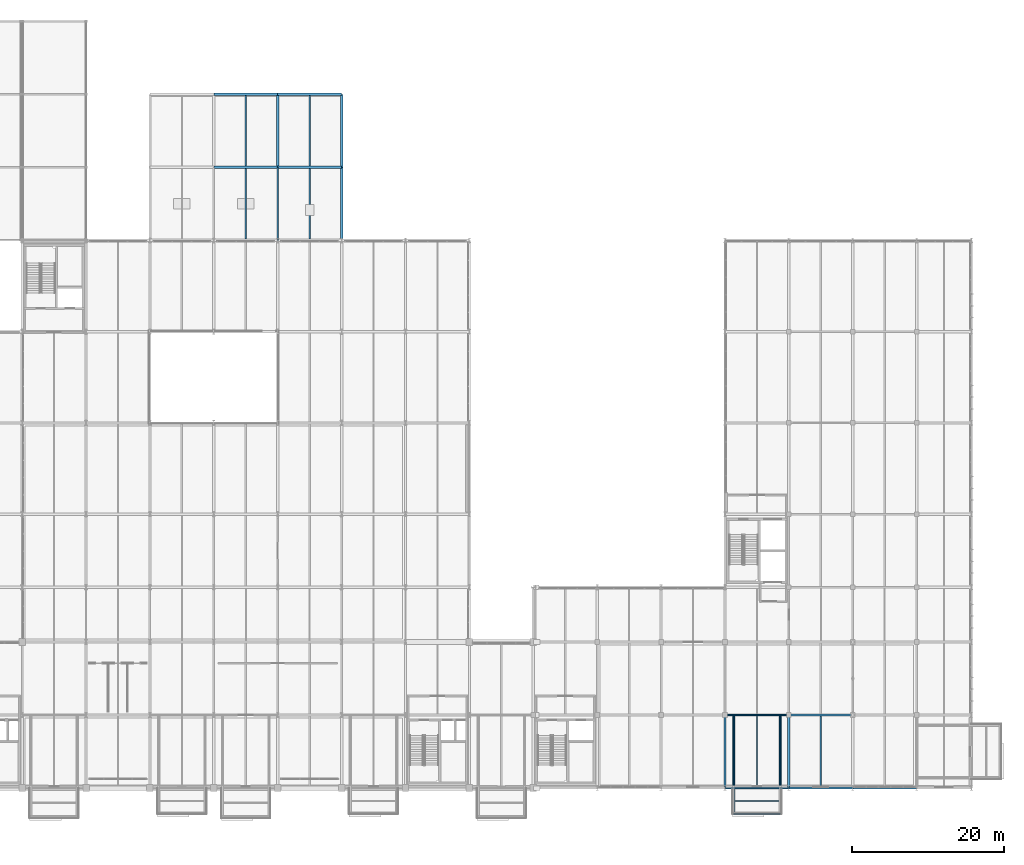
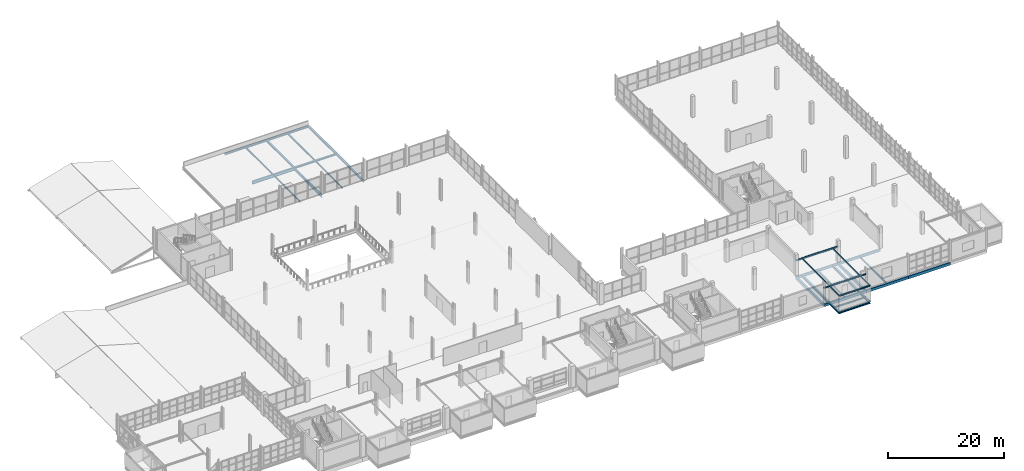
# One storey, part 80 of 130: 30 beams.
"""IFC4 building model written with IfcOpenShell, lengths in metres."""

from ifc_helpers import new_model, si_unit, direction, frame, origin, origin_2d, place, context, subcontext, project, spatial, rectangle, i_section, extrude, material, material_profile, profile_set, type_object, element, save


model = new_model("IFC4")

# Units and contexts
model_context = context("Model", 3, precision=1e-05, world=origin(), true_north=direction((0.0, 1.0)))
body_context = subcontext(model_context, "Body", "Model", "MODEL_VIEW")
ifc_project = project(units=[si_unit("LENGTHUNIT", "METRE"), si_unit("AREAUNIT", "SQUARE_METRE"), si_unit("VOLUMEUNIT", "CUBIC_METRE"), si_unit("PLANEANGLEUNIT", "RADIAN"), si_unit("MASSUNIT", "GRAM", prefix="KILO")], contexts=[model_context])

# Site, building, storey
site_placement = place(None, origin())
site = spatial("IfcSite", under=ifc_project, at=site_placement, CompositionType="ELEMENT")
building_placement = place(site_placement, origin())
building = spatial("IfcBuilding", under=site, at=building_placement, Name="Veltarok Museum of Natural Sciences", CompositionType="ELEMENT")
storey_placement = place(building_placement, frame((0.0, 0.0, 12.89990234375)))
storey = spatial("IfcBuildingStorey", under=building, at=storey_placement, Name="L02", CompositionType="ELEMENT", Elevation=12.89990234375)

# Beams
ifc_material_1 = material(Name="Steel S355J2", Category="steel")
ifc_material_profile_1 = material_profile(ifc_material_1, i_section(OverallWidth=0.2099609375, OverallDepth=0.550048828125, WebThickness=0.010986328125, FlangeThickness=0.01708984375, FilletRadius=0.02392578125, at=origin_2d()), Name="IPE 550")
ifc_profile_set_1 = profile_set([ifc_material_profile_1], Name="Steel S355J2")
beam_type_1 = type_object("IfcBeamType", Name="Archive Heavy Girder IPE 550", PredefinedType="BEAM", material=ifc_profile_set_1)
beam_1_placement = place(storey_placement, frame((132.39990234375, 9.60009765625, -0.52490234375), z_axis=(1.0, 0.0, 0.0), x_axis=(0.0, 1.0, 0.0)))
element("IfcBeam", 1, at=beam_1_placement, inside=storey, type_object=beam_type_1, Name="Beam BM-G03 L02 16-17/B", PredefinedType="BEAM", context=body_context, shape_type="SweptSolid", body=[
    extrude(i_section(OverallWidth=0.2099609375, OverallDepth=0.550048828125, WebThickness=0.010986328125, FlangeThickness=0.01708984375, FilletRadius=0.02392578125, at=origin_2d()), origin(), (0.0, 0.0, 1.0), 8.400146484375),
])
beam_2_placement = place(storey_placement, frame((140.800048828125, 9.60009765625, -0.52490234375), z_axis=(1.0, 0.0, 0.0), x_axis=(0.0, 1.0, 0.0)))
element("IfcBeam", 2, at=beam_2_placement, inside=storey, type_object=beam_type_1, Name="Beam BM-G03 L02 17-18/B", PredefinedType="BEAM", context=body_context, shape_type="SweptSolid", body=[
    extrude(i_section(OverallWidth=0.2099609375, OverallDepth=0.550048828125, WebThickness=0.010986328125, FlangeThickness=0.01708984375, FilletRadius=0.02392578125, at=origin_2d()), origin(), (0.0, 0.0, 1.0), 8.39990234375),
])
ifc_material_profile_2 = material_profile(ifc_material_1, i_section(OverallWidth=0.300048828125, OverallDepth=0.5, WebThickness=0.014404296875, FlangeThickness=0.028076171875, FilletRadius=0.027099609375, at=origin_2d()), Name="HEB 500")
ifc_profile_set_2 = profile_set([ifc_material_profile_2], Name="Steel S355J2")
beam_type_2 = type_object("IfcBeamType", Name="Cabinet Box Cantilever Girder HEB 500", PredefinedType="BEAM", material=ifc_profile_set_2)
for number, where, z_axis, x_axis, name in (
    (3, (133.550048828125, -3.39990234375, -0.5), (0.0, 1.0, 0.0), (-1.0, 0.0, 0.0), "Cabinet Cantilever Girder DB-12-1"),
    (4, (139.64990234375, -3.39990234375, -0.5), (0.0, 1.0, 0.0), (-1.0, 0.0, 0.0), "Cabinet Cantilever Girder DB-12-2"),
):
    element("IfcBeam", number, at=place(storey_placement, frame(where, z_axis=z_axis, x_axis=x_axis)), inside=storey, type_object=beam_type_2, Name=name, PredefinedType="BEAM", context=body_context, shape_type="SweptSolid", body=[
        extrude(i_section(OverallWidth=0.300048828125, OverallDepth=0.5, WebThickness=0.014404296875, FlangeThickness=0.028076171875, FilletRadius=0.027099609375, at=origin_2d()), origin(), (0.0, 0.0, 1.0), 13.0),
    ])
ifc_material_profile_3 = material_profile(ifc_material_1, i_section(OverallWidth=0.1201171875, OverallDepth=0.239990234375, WebThickness=0.006103515625, FlangeThickness=0.009765625, FilletRadius=0.014892578125, at=origin_2d()), Name="IPE 240")
ifc_profile_set_3 = profile_set([ifc_material_profile_3], Name="Steel S355J2")
beam_type_3 = type_object("IfcBeamType", Name="Cabinet Box Secondary Joist IPE 240", PredefinedType="JOIST", material=ifc_profile_set_3)
for number, where, z_axis, x_axis, name in (
    (5, (133.550048828125, -3.39990234375, 3.130126953125), (0.0, 1.0, 0.0), (-1.0, 0.0, 0.0), "Cabinet Roof Rafter DB-12-1"),
    (6, (139.64990234375, -3.39990234375, 3.130126953125), (0.0, 1.0, 0.0), (-1.0, 0.0, 0.0), "Cabinet Roof Rafter DB-12-2"),
):
    element("IfcBeam", number, at=place(storey_placement, frame(where, z_axis=z_axis, x_axis=x_axis)), inside=storey, type_object=beam_type_3, Name=name, PredefinedType="JOIST", context=body_context, shape_type="SweptSolid", body=[
        extrude(i_section(OverallWidth=0.1201171875, OverallDepth=0.239990234375, WebThickness=0.006103515625, FlangeThickness=0.009765625, FilletRadius=0.014892578125, at=origin_2d()), origin(), (0.0, 0.0, 1.0), 13.0),
    ])
for number, where, z_axis, x_axis, name in (
    (7, (132.39990234375, 0.0, 3.130126953125), (1.0, 0.0, 0.0), (0.0, 1.0, 0.0), "Cabinet Roof Tie Beam DB-12-P"),
    (8, (132.39990234375, 9.60009765625, 3.130126953125), (1.0, 0.0, 0.0), (0.0, 1.0, 0.0), "Cabinet Roof Tie Beam DB-12-I"),
):
    element("IfcBeam", number, at=place(storey_placement, frame(where, z_axis=z_axis, x_axis=x_axis)), inside=storey, type_object=beam_type_3, Name=name, PredefinedType="JOIST", context=body_context, shape_type="SweptSolid", body=[
        extrude(i_section(OverallWidth=0.1201171875, OverallDepth=0.239990234375, WebThickness=0.006103515625, FlangeThickness=0.009765625, FilletRadius=0.014892578125, at=origin_2d()), origin(), (0.0, 0.0, 1.0), 8.400146484375),
    ])
for number, where, z_axis, x_axis, name in (
    (9, (133.550048828125, -3.39990234375, 3.130126953125), (1.0, 0.0, 0.0), (0.0, 1.0, 0.0), "Cabinet Roof Tip Header DB-12"),
    (10, (133.550048828125, -1.699951171875, -0.369873046875), (1.0, 0.0, 0.0), (0.0, 1.0, 0.0), "Cabinet Box Joist DB-12"),
):
    element("IfcBeam", number, at=place(storey_placement, frame(where, z_axis=z_axis, x_axis=x_axis)), inside=storey, type_object=beam_type_3, Name=name, PredefinedType="JOIST", context=body_context, shape_type="SweptSolid", body=[
        extrude(i_section(OverallWidth=0.1201171875, OverallDepth=0.239990234375, WebThickness=0.006103515625, FlangeThickness=0.009765625, FilletRadius=0.014892578125, at=origin_2d()), origin(), (0.0, 0.0, 1.0), 6.099853515625),
    ])
ifc_material_profile_4 = material_profile(ifc_material_1, i_section(OverallWidth=0.300048828125, OverallDepth=0.35009765625, WebThickness=0.010009765625, FlangeThickness=0.017578125, FilletRadius=0.027099609375, at=origin_2d()), Name="HEA 360")
ifc_profile_set_4 = profile_set([ifc_material_profile_4], Name="Steel S355J2")
beam_type_4 = type_object("IfcBeamType", Name="Cabinet Box Tip Header HEA 360", PredefinedType="BEAM", material=ifc_profile_set_4)
beam_3_placement = place(storey_placement, frame((133.550048828125, -3.39990234375, -0.4248046875), z_axis=(1.0, 0.0, 0.0), x_axis=(0.0, 1.0, 0.0)))
element("IfcBeam", 11, at=beam_3_placement, inside=storey, type_object=beam_type_4, Name="Cabinet Tip Header DB-12", PredefinedType="BEAM", context=body_context, shape_type="SweptSolid", body=[
    extrude(i_section(OverallWidth=0.300048828125, OverallDepth=0.35009765625, WebThickness=0.010009765625, FlangeThickness=0.017578125, FilletRadius=0.027099609375, at=origin_2d()), origin(), (0.0, 0.0, 1.0), 6.099853515625),
])
ifc_material_2 = material(Name="Precast concrete C40/50", Category="concrete")
ifc_material_profile_5 = material_profile(ifc_material_2, rectangle(XDim=0.300048828125, YDim=0.550048828125, at=origin_2d()), Name="RC 300x550")
ifc_profile_set_5 = profile_set([ifc_material_profile_5], Name="Precast concrete C40/50")
beam_type_5 = type_object("IfcBeamType", Name="East Wing Precast Spandrel RC 300x550", PredefinedType="SPANDREL", material=ifc_profile_set_5)
beam_4_placement = place(storey_placement, frame((132.39990234375, 0.0, -0.52490234375), z_axis=(1.0, 0.0, 0.0), x_axis=(0.0, 1.0, 0.0)))
element("IfcBeam", 12, at=beam_4_placement, inside=storey, type_object=beam_type_5, Name="Beam BM-SP02 L02 16-17/A", PredefinedType="SPANDREL", context=body_context, shape_type="SweptSolid", body=[
    extrude(rectangle(XDim=0.300048828125, YDim=0.550048828125, at=origin_2d()), origin(), (0.0, 0.0, 1.0), 8.400146484375),
])
beam_5_placement = place(storey_placement, frame((140.800048828125, 0.0, -0.52490234375), z_axis=(1.0, 0.0, 0.0), x_axis=(0.0, 1.0, 0.0)))
element("IfcBeam", 13, at=beam_5_placement, inside=storey, type_object=beam_type_5, Name="Beam BM-SP02 L02 17-18/A", PredefinedType="SPANDREL", context=body_context, shape_type="SweptSolid", body=[
    extrude(rectangle(XDim=0.300048828125, YDim=0.550048828125, at=origin_2d()), origin(), (0.0, 0.0, 1.0), 8.39990234375),
])
beam_6_placement = place(storey_placement, frame((149.199951171875, 0.0, -0.52490234375), z_axis=(1.0, 0.0, 0.0), x_axis=(0.0, 1.0, 0.0)))
element("IfcBeam", 14, at=beam_6_placement, inside=storey, type_object=beam_type_5, Name="Beam BM-SP02 L02 18-19/A", PredefinedType="SPANDREL", context=body_context, shape_type="SweptSolid", body=[
    extrude(rectangle(XDim=0.300048828125, YDim=0.550048828125, at=origin_2d()), origin(), (0.0, 0.0, 1.0), 8.400146484375),
])
for number, where, z_axis, x_axis, name in (
    (15, (132.39990234375, 0.0, -0.52490234375), (0.0, 1.0, 0.0), (-1.0, 0.0, 0.0), "Beam BM-SP02 L02 16/A-B"),
    (16, (140.800048828125, 0.0, -0.52490234375), (0.0, 1.0, 0.0), (-1.0, 0.0, 0.0), "Beam BM-SP02 L02 17/A-B"),
):
    element("IfcBeam", number, at=place(storey_placement, frame(where, z_axis=z_axis, x_axis=x_axis)), inside=storey, type_object=beam_type_5, Name=name, PredefinedType="SPANDREL", context=body_context, shape_type="SweptSolid", body=[
        extrude(rectangle(XDim=0.300048828125, YDim=0.550048828125, at=origin_2d()), origin(), (0.0, 0.0, 1.0), 9.60009765625),
    ])
ifc_material_profile_6 = material_profile(ifc_material_1, i_section(OverallWidth=0.300048828125, OverallDepth=0.639892578125, WebThickness=0.013427734375, FlangeThickness=0.02587890625, FilletRadius=0.027099609375, at=origin_2d()), Name="HEA 650")
ifc_profile_set_6 = profile_set([ifc_material_profile_6], Name="Steel S355J2")
beam_type_6 = type_object("IfcBeamType", Name="Heavy Exhibition Girder HEA 650", PredefinedType="BEAM", material=ifc_profile_set_6)
beam_7_placement = place(storey_placement, frame((65.199951171875, 81.60009765625, -0.56982421875), z_axis=(1.0, 0.0, 0.0), x_axis=(0.0, 1.0, 0.0)))
element("IfcBeam", 17, at=beam_7_placement, inside=storey, type_object=beam_type_6, Name="Beam BM-G08 L02 8-9/J", PredefinedType="BEAM", context=body_context, shape_type="SweptSolid", body=[
    extrude(i_section(OverallWidth=0.300048828125, OverallDepth=0.639892578125, WebThickness=0.013427734375, FlangeThickness=0.02587890625, FilletRadius=0.027099609375, at=origin_2d()), origin(), (0.0, 0.0, 1.0), 8.400146484375),
])
ifc_material_profile_7 = material_profile(ifc_material_1, i_section(OverallWidth=0.159912109375, OverallDepth=0.330078125, WebThickness=0.007568359375, FlangeThickness=0.011474609375, FilletRadius=0.01806640625, at=origin_2d()), Name="IPE 330")
ifc_profile_set_7 = profile_set([ifc_material_profile_7], Name="Steel S355J2")
beam_type_7 = type_object("IfcBeamType", Name="Medium-Bay Composite Joist IPE 330", PredefinedType="JOIST", material=ifc_profile_set_7)
for number, where, z_axis, x_axis, name in (
    (18, (69.39990234375, 72.14794921875, -0.414794921875), (0.0, 1.0, 0.0), (-1.0, 0.0, 0.0), "Secondary Joist BM-J02 L02 8-9/H-J.1"),
    (19, (69.39990234375, 81.748046875, -0.414794921875), (0.0, 1.0, 0.0), (-1.0, 0.0, 0.0), "Secondary Joist BM-J02 L02 8-9/J-K.1"),
    (20, (77.800048828125, 72.14794921875, -0.414794921875), (0.0, 1.0, 0.0), (-1.0, 0.0, 0.0), "Secondary Joist BM-J02 L02 9-10/H-J.1"),
    (21, (77.800048828125, 81.748046875, -0.414794921875), (0.0, 1.0, 0.0), (-1.0, 0.0, 0.0), "Secondary Joist BM-J02 L02 9-10/J-K.1"),
):
    element("IfcBeam", number, at=place(storey_placement, frame(where, z_axis=z_axis, x_axis=x_axis)), inside=storey, type_object=beam_type_7, Name=name, PredefinedType="JOIST", context=body_context, shape_type="SweptSolid", body=[
        extrude(i_section(OverallWidth=0.159912109375, OverallDepth=0.330078125, WebThickness=0.007568359375, FlangeThickness=0.011474609375, FilletRadius=0.01806640625, at=origin_2d()), origin(), (0.0, 0.0, 1.0), 9.303955078125),
    ])
for number, where, z_axis, x_axis, name in (
    (22, (136.60009765625, 0.14794921875, -0.414794921875), (0.0, 1.0, 0.0), (-1.0, 0.0, 0.0), "Secondary Joist BM-J02 L02 16-17/A-B.1"),
    (23, (145.0, 0.14794921875, -0.414794921875), (0.0, 1.0, 0.0), (-1.0, 0.0, 0.0), "Secondary Joist BM-J02 L02 17-18/A-B.1"),
):
    element("IfcBeam", number, at=place(storey_placement, frame(where, z_axis=z_axis, x_axis=x_axis)), inside=storey, type_object=beam_type_7, Name=name, PredefinedType="JOIST", context=body_context, shape_type="SweptSolid", body=[
        extrude(i_section(OverallWidth=0.159912109375, OverallDepth=0.330078125, WebThickness=0.007568359375, FlangeThickness=0.011474609375, FilletRadius=0.01806640625, at=origin_2d()), origin(), (0.0, 0.0, 1.0), 9.34912109375),
    ])
ifc_material_profile_8 = material_profile(ifc_material_1, i_section(OverallWidth=0.300048828125, OverallDepth=0.330078125, WebThickness=0.009521484375, FlangeThickness=0.0166015625, FilletRadius=0.027099609375, at=origin_2d()), Name="HEA 340")
ifc_profile_set_8 = profile_set([ifc_material_profile_8], Name="Steel S355J2")
beam_type_8 = type_object("IfcBeamType", Name="Perimeter Upper Spandrel HEA 340", PredefinedType="SPANDREL", material=ifc_profile_set_8)
beam_8_placement = place(storey_placement, frame((73.60009765625, 81.60009765625, -0.414794921875), z_axis=(1.0, 0.0, 0.0), x_axis=(0.0, 1.0, 0.0)))
element("IfcBeam", 24, at=beam_8_placement, inside=storey, type_object=beam_type_8, Name="Beam BM-SP05 L02 9-10/J", PredefinedType="SPANDREL", context=body_context, shape_type="SweptSolid", body=[
    extrude(i_section(OverallWidth=0.300048828125, OverallDepth=0.330078125, WebThickness=0.009521484375, FlangeThickness=0.0166015625, FilletRadius=0.027099609375, at=origin_2d()), origin(), (0.0, 0.0, 1.0), 8.39990234375),
])
beam_9_placement = place(storey_placement, frame((65.199951171875, 91.199951171875, -0.414794921875), z_axis=(1.0, 0.0, 0.0), x_axis=(0.0, 1.0, 0.0)))
element("IfcBeam", 25, at=beam_9_placement, inside=storey, type_object=beam_type_8, Name="Beam BM-SP05 L02 8-9/K", PredefinedType="SPANDREL", context=body_context, shape_type="SweptSolid", body=[
    extrude(i_section(OverallWidth=0.300048828125, OverallDepth=0.330078125, WebThickness=0.009521484375, FlangeThickness=0.0166015625, FilletRadius=0.027099609375, at=origin_2d()), origin(), (0.0, 0.0, 1.0), 8.400146484375),
])
beam_10_placement = place(storey_placement, frame((73.60009765625, 91.199951171875, -0.414794921875), z_axis=(1.0, 0.0, 0.0), x_axis=(0.0, 1.0, 0.0)))
element("IfcBeam", 26, at=beam_10_placement, inside=storey, type_object=beam_type_8, Name="Beam BM-SP05 L02 9-10/K", PredefinedType="SPANDREL", context=body_context, shape_type="SweptSolid", body=[
    extrude(i_section(OverallWidth=0.300048828125, OverallDepth=0.330078125, WebThickness=0.009521484375, FlangeThickness=0.0166015625, FilletRadius=0.027099609375, at=origin_2d()), origin(), (0.0, 0.0, 1.0), 8.39990234375),
])
beam_11_placement = place(storey_placement, frame((73.60009765625, 81.60009765625, -0.414794921875), z_axis=(0.0, 1.0, 0.0), x_axis=(-1.0, 0.0, 0.0)))
element("IfcBeam", 27, at=beam_11_placement, inside=storey, type_object=beam_type_8, Name="Beam BM-SP05 L02 9/J-K", PredefinedType="SPANDREL", context=body_context, shape_type="SweptSolid", body=[
    extrude(i_section(OverallWidth=0.300048828125, OverallDepth=0.330078125, WebThickness=0.009521484375, FlangeThickness=0.0166015625, FilletRadius=0.027099609375, at=origin_2d()), origin(), (0.0, 0.0, 1.0), 9.599853515625),
])
beam_12_placement = place(storey_placement, frame((82.0, 72.0, -0.414794921875), z_axis=(0.0, 1.0, 0.0), x_axis=(-1.0, 0.0, 0.0)))
element("IfcBeam", 28, at=beam_12_placement, inside=storey, type_object=beam_type_8, Name="Beam BM-SP05 L02 10/H-J", PredefinedType="SPANDREL", context=body_context, shape_type="SweptSolid", body=[
    extrude(i_section(OverallWidth=0.300048828125, OverallDepth=0.330078125, WebThickness=0.009521484375, FlangeThickness=0.0166015625, FilletRadius=0.027099609375, at=origin_2d()), origin(), (0.0, 0.0, 1.0), 9.60009765625),
])
beam_13_placement = place(storey_placement, frame((82.0, 81.60009765625, -0.414794921875), z_axis=(0.0, 1.0, 0.0), x_axis=(-1.0, 0.0, 0.0)))
element("IfcBeam", 29, at=beam_13_placement, inside=storey, type_object=beam_type_8, Name="Beam BM-SP05 L02 10/J-K", PredefinedType="SPANDREL", context=body_context, shape_type="SweptSolid", body=[
    extrude(i_section(OverallWidth=0.300048828125, OverallDepth=0.330078125, WebThickness=0.009521484375, FlangeThickness=0.0166015625, FilletRadius=0.027099609375, at=origin_2d()), origin(), (0.0, 0.0, 1.0), 9.599853515625),
])
ifc_material_profile_9 = material_profile(ifc_material_1, i_section(OverallWidth=0.219970703125, OverallDepth=0.60009765625, WebThickness=0.011962890625, FlangeThickness=0.01904296875, FilletRadius=0.02392578125, at=origin_2d()), Name="IPE 600")
ifc_profile_set_9 = profile_set([ifc_material_profile_9], Name="Steel S355J2")
beam_type_9 = type_object("IfcBeamType", Name="Primary Museum Girder IPE 600", PredefinedType="BEAM", material=ifc_profile_set_9)
beam_14_placement = place(storey_placement, frame((73.60009765625, 72.0, -0.5498046875), z_axis=(0.0, 1.0, 0.0), x_axis=(-1.0, 0.0, 0.0)))
element("IfcBeam", 30, at=beam_14_placement, inside=storey, type_object=beam_type_9, Name="Beam BM-G02 L02 9/H-J", PredefinedType="BEAM", context=body_context, shape_type="SweptSolid", body=[
    extrude(i_section(OverallWidth=0.219970703125, OverallDepth=0.60009765625, WebThickness=0.011962890625, FlangeThickness=0.01904296875, FilletRadius=0.02392578125, at=origin_2d()), origin(), (0.0, 0.0, 1.0), 9.60009765625),
])

save(model, "model.ifc")
